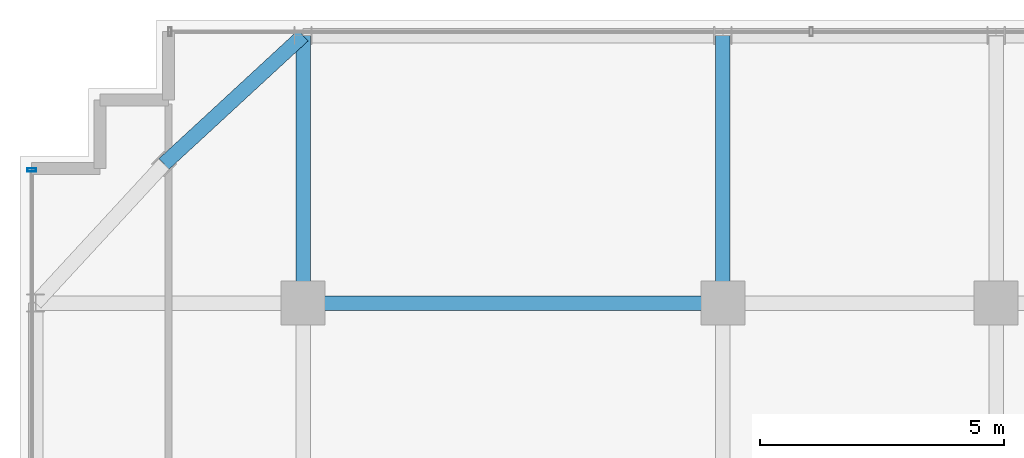
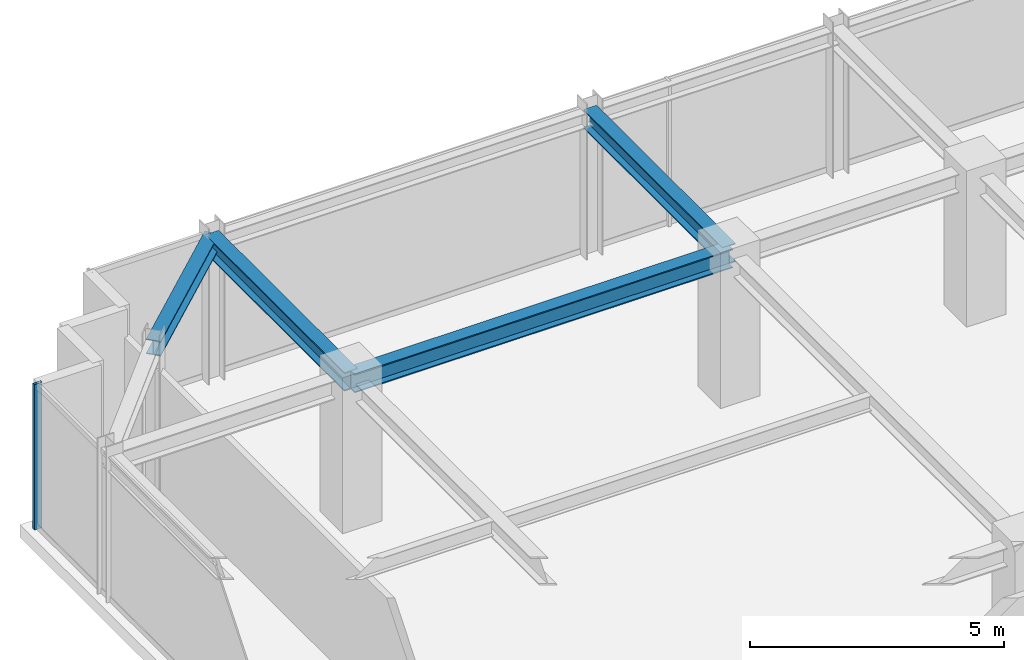
# One storey, part 17 of 32: 4 beams, 1 member, 1 element without a shape of its own.
"""IFC4 building model written with IfcOpenShell, lengths in metres."""

from ifc_helpers import new_model, si_unit, direction, frame, origin, origin_2d, place, context, subcontext, project, spatial, hollow_rectangle, i_section, extrude, source, transform, mapped, material, material_profile, profile_set, type_object, element, aggregate, save


model = new_model("IFC4")

# Units and contexts
model_context = context("Model", 3, precision=1e-05, world=origin(), true_north=direction((0.0, 1.0)))
body_context = subcontext(model_context, "Body", "Model", "MODEL_VIEW")
ifc_project = project(units=[si_unit("LENGTHUNIT", "METRE"), si_unit("AREAUNIT", "SQUARE_METRE"), si_unit("VOLUMEUNIT", "CUBIC_METRE"), si_unit("PLANEANGLEUNIT", "RADIAN"), si_unit("MASSUNIT", "GRAM", prefix="KILO")], contexts=[model_context])

# Site, building, storey
site_placement = place(None, origin())
site = spatial("IfcSite", under=ifc_project, at=site_placement, CompositionType="ELEMENT")
building_placement = place(site_placement, origin())
building = spatial("IfcBuilding", under=site, at=building_placement, Name="Nahalor Promenade Grand Hotel", CompositionType="ELEMENT")
storey_placement = place(building_placement, frame((0.0, 0.0, 330.949951171875)))
storey = spatial("IfcBuildingStorey", under=building, at=storey_placement, Name="L85", CompositionType="ELEMENT", Elevation=330.949951171875)

# Beams
ifc_material_1 = material(Name="Steel S355JR", Category="steel")
ifc_material_profile_1 = material_profile(ifc_material_1, i_section(OverallWidth=0.3, OverallDepth=0.45, WebThickness=0.014, FlangeThickness=0.026, at=origin_2d()), Name="HEB 450")
ifc_profile_set_1 = profile_set([ifc_material_profile_1], Name="Steel S355JR")
beam_type_1 = type_object("IfcBeamType", Name="Beam-Girder-HEB450", PredefinedType="BEAM", material=ifc_profile_set_1)
shared_shape_1 = source(origin(), body_context, "Body", "SweptSolid", [
    extrude(i_section(OverallWidth=0.3, OverallDepth=0.45, WebThickness=0.014, FlangeThickness=0.026, at=origin_2d()), origin(), (0.0, 0.0, 1.0), 8.60009765625),
])
beam_1_placement = place(storey_placement, frame((-17.0, 17.0, 3.275146484375), z_axis=(1.0, 0.0, 0.0), x_axis=(0.0, 1.0, 0.0)))
element("IfcBeam", 1, at=beam_1_placement, inside=storey, type_object=beam_type_1, Name="BM-L85-GX-3-1", PredefinedType="BEAM", context=body_context, shape_type="MappedRepresentation", body=[
    mapped(shared_shape_1, transform((0.0, 0.0, 0.0), scale=1.0)),
])
shared_shape_2 = source(origin(), body_context, "Body", "SweptSolid", [
    extrude(i_section(OverallWidth=0.3, OverallDepth=0.45, WebThickness=0.014, FlangeThickness=0.026, at=origin_2d()), origin(), (0.0, 0.0, 1.0), 5.47998046875),
])
for number, where, z_axis, x_axis, name in (
    (2, (-17.0, 17.0, 3.275146484375), (0.0, 1.0, 0.0), (-1.0, 0.0, 0.0), "BM-L85-GY-0-4"),
    (3, (-8.39990234375, 17.0, 3.275146484375), (0.0, 1.0, 0.0), (-1.0, 0.0, 0.0), "BM-L85-GY-1-4"),
):
    element("IfcBeam", number, at=place(storey_placement, frame(where, z_axis=z_axis, x_axis=x_axis)), inside=storey, type_object=beam_type_1, Name=name, PredefinedType="BEAM", context=body_context, shape_type="MappedRepresentation", body=[
        mapped(shared_shape_2, transform((0.0, 0.0, 0.0), scale=1.0)),
    ])
ifc_material_profile_2 = material_profile(ifc_material_1, i_section(OverallWidth=0.3, OverallDepth=0.36, WebThickness=0.0125, FlangeThickness=0.0225, at=origin_2d()), Name="HEB 360")
ifc_profile_set_2 = profile_set([ifc_material_profile_2], Name="Steel S355JR")
beam_type_2 = type_object("IfcBeamType", Name="Beam-Spandrel-HEB360", PredefinedType="SPANDREL", material=ifc_profile_set_2)
shared_shape_3 = source(origin(), body_context, "Body", "SweptSolid", [
    extrude(i_section(OverallWidth=0.3, OverallDepth=0.36, WebThickness=0.0125, FlangeThickness=0.0225, at=origin_2d()), origin(), (0.0, 0.0, 1.0), 3.878173828125),
])
beam_2_placement = place(storey_placement, frame((-17.0, 22.47998046875, 3.320068359375), z_axis=(-0.73492893846, -0.678144125843, 0.0), x_axis=(0.678144125843, -0.73492893846, 0.0)))
element("IfcBeam", 4, at=beam_2_placement, inside=storey, type_object=beam_type_2, Name="BM-L85-SPC-NW-1", PredefinedType="SPANDREL", context=body_context, shape_type="MappedRepresentation", body=[
    mapped(shared_shape_3, transform((0.0, 0.0, 0.0), scale=1.0)),
])

# Curtain wall, member
ifc_material_2 = material(Name="Anodised Bronze Aluminium EN AW-6063 T6", Category="aluminium")
curtain_wall_type = type_object("IfcCurtainWallType", Name="CW2 Typical Hotel Flush Bronze Unitised Curtain Wall", PredefinedType="USERDEFINED", material=ifc_material_2)
curtain_wall_placement = place(storey_placement, origin())
curtain_wall = element("IfcCurtainWall", 5, at=curtain_wall_placement, inside=storey, type_object=curtain_wall_type, Name="L85 Curtain Wall CW-L85-W-1", ObjectType="UNITISED_CURTAIN_WALL", PredefinedType="USERDEFINED")
ifc_material_profile_3 = material_profile(ifc_material_2, hollow_rectangle(XDim=0.065, YDim=0.18, WallThickness=0.004, at=origin_2d()), Name="CWM 65x180x4")
ifc_profile_set_3 = profile_set([ifc_material_profile_3], Name="Anodised Bronze Aluminium EN AW-6063 T6")
member_type = type_object("IfcMemberType", Name="CWM2 Typical Bronze Mullion 65x180", PredefinedType="MULLION", material=ifc_profile_set_3)
shared_shape_4 = source(origin(), body_context, "Body", "SweptSolid", [
    extrude(hollow_rectangle(XDim=0.065, YDim=0.18, WallThickness=0.004, at=origin_2d()), origin(), (0.0, 0.0, 1.0), 3.5),
])
member_placement = place(storey_placement, frame((-22.56005859375, 19.7275390625, 0.0), z_axis=(0.0, 0.0, 1.0), x_axis=(0.0, 1.0, 0.0)))
member = element("IfcMember", 6, at=member_placement, type_object=member_type, Name="CW-L85-W-1 Mullion 3", PredefinedType="MULLION", context=body_context, shape_type="MappedRepresentation", body=[
    mapped(shared_shape_4, transform((0.0, 0.0, 0.0), scale=1.0)),
])
aggregate(curtain_wall, [member])

save(model, "model.ifc")
